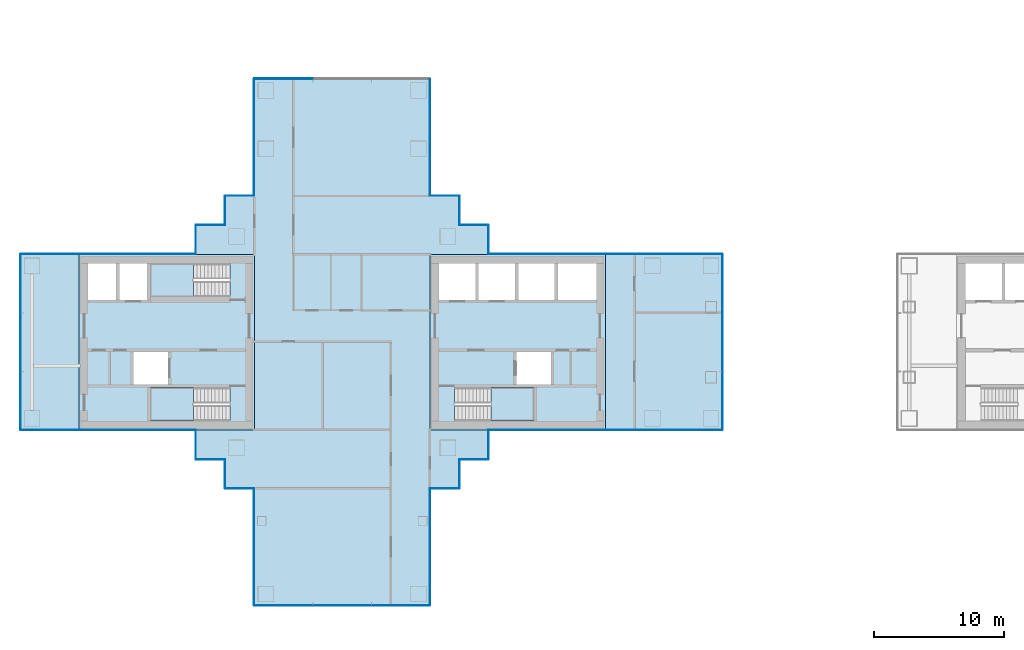
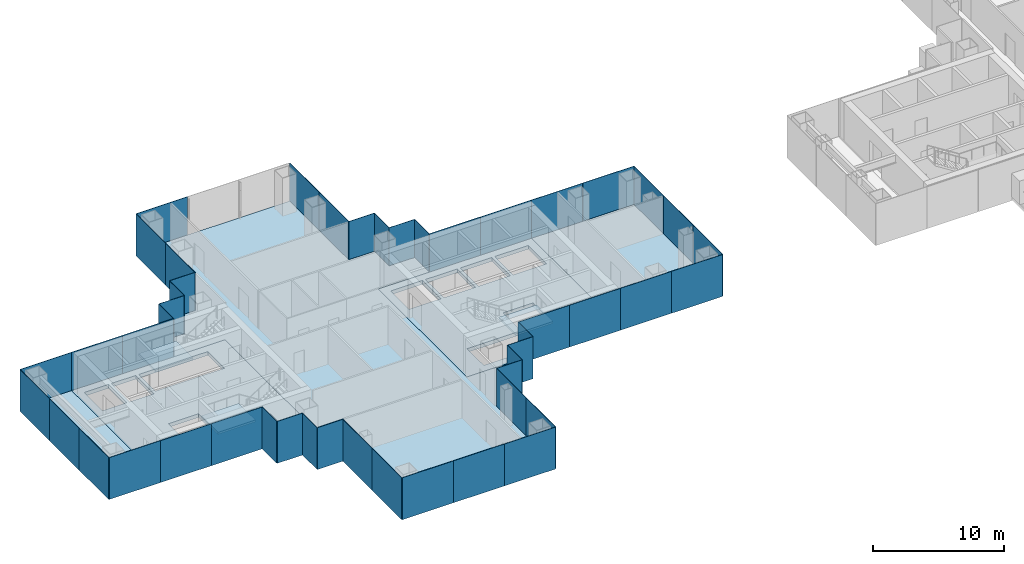
# One storey, part 9 of 20: 48 plates, 8 slabs, 23 elements without a shape of their own.
"""IFC4 building model written with IfcOpenShell, lengths in metres."""

from ifc_helpers import new_model, si_unit, direction, frame, origin, origin_2d, place, context, subcontext, project, spatial, polyline, rectangle, outline, extrude, material, layer, layer_set, type_object, element, aggregate, save


model = new_model("IFC4")

# Units and contexts
model_context = context("Model", 3, precision=1e-05, world=origin(), true_north=direction((0.0, 1.0)))
body_context = subcontext(model_context, "Body", "Model", "MODEL_VIEW")
ifc_project = project(units=[si_unit("LENGTHUNIT", "METRE"), si_unit("AREAUNIT", "SQUARE_METRE"), si_unit("VOLUMEUNIT", "CUBIC_METRE"), si_unit("PLANEANGLEUNIT", "RADIAN"), si_unit("MASSUNIT", "GRAM", prefix="KILO")], contexts=[model_context])

# Site, building, storey
site_placement = place(None, origin())
site = spatial("IfcSite", under=ifc_project, at=site_placement, CompositionType="ELEMENT")
building_placement = place(site_placement, origin())
building = spatial("IfcBuilding", under=site, at=building_placement, Name="Shamsa Quay Exchange Towers", CompositionType="ELEMENT")
storey_placement = place(building_placement, frame((0.0, 0.0, 109.199951171875)))
storey = spatial("IfcBuildingStorey", under=building, at=storey_placement, Name="L25", CompositionType="ELEMENT", Elevation=109.199951171875)

# Slabs
ifc_material_1 = material(Name="Concrete C50/60", Category="concrete")
ifc_layer_1 = layer(ifc_material_1, 0.35009765625)
ifc_layer_set_1 = layer_set([ifc_layer_1], Name="CORE FLOOR 350 C50/60")
slab_type_1 = type_object("IfcSlabType", Name="CORE FLOOR 350 C50/60", PredefinedType="FLOOR", material=ifc_layer_set_1)
slab_1_placement = place(storey_placement, frame((0.0, 0.0, -0.349853515625)))
element("IfcSlab", 1, at=slab_1_placement, inside=storey, type_object=slab_type_1, Name="Core floor T1A", PredefinedType="FLOOR", context=body_context, shape_type="SweptSolid", body=[
    extrude(outline(polyline([(-27.0, -6.75), (-13.5, -6.75), (-13.5, 6.75), (-27.0, 6.75), (-27.0, -6.75)]), holes=[polyline([(-25.099365234375, -6.050048828125), (-25.099365234375, -3.5), (-19.0, -3.5), (-19.0, -6.050048828125), (-25.099365234375, -6.050048828125)]), polyline([(-26.300048828125, 3.25), (-26.300048828125, 6.050048828125), (-23.5, 6.050048828125), (-23.5, 3.25), (-26.300048828125, 3.25)]), polyline([(-23.25, 3.25), (-23.25, 6.050048828125), (-20.449951171875, 6.050048828125), (-20.449951171875, 3.25), (-23.25, 3.25)]), polyline([(-20.199951171875, 3.25), (-20.199951171875, 6.050048828125), (-17.39990234375, 6.050048828125), (-17.39990234375, 3.25), (-20.199951171875, 3.25)]), polyline([(-17.14990234375, 3.25), (-17.14990234375, 6.050048828125), (-14.199951171875, 6.050048828125), (-14.199951171875, 3.25), (-17.14990234375, 3.25)]), polyline([(-20.35009765625, -3.25), (-20.35009765625, -0.75), (-17.699951171875, -0.75), (-17.699951171875, -3.25), (-20.35009765625, -3.25)])]), origin(), (0.0, 0.0, 1.0), 0.349853515625),
])
slab_2_placement = place(storey_placement, frame((0.0, 0.0, -0.349853515625)))
element("IfcSlab", 2, at=slab_2_placement, inside=storey, type_object=slab_type_1, Name="Core floor T1B", PredefinedType="FLOOR", context=body_context, shape_type="SweptSolid", body=[
    extrude(outline(polyline([(-40.5, -6.75), (-40.5, 6.75), (-54.0, 6.75), (-54.0, -6.75), (-40.5, -6.75)]), holes=[polyline([(-42.400634765625, -3.5), (-42.400634765625, -6.050048828125), (-48.5, -6.050048828125), (-48.5, -3.5), (-42.400634765625, -3.5)]), polyline([(-42.400634765625, 6.050048828125), (-42.400634765625, 3.5), (-48.5, 3.5), (-48.5, 6.050048828125), (-42.400634765625, 6.050048828125)]), polyline([(-48.75, 3.25), (-50.89990234375, 3.25), (-50.89990234375, 6.050048828125), (-48.75, 6.050048828125), (-48.75, 3.25)]), polyline([(-51.14990234375, 3.25), (-53.300048828125, 3.25), (-53.300048828125, 6.050048828125), (-51.14990234375, 6.050048828125), (-51.14990234375, 3.25)]), polyline([(-47.14990234375, -3.25), (-49.800048828125, -3.25), (-49.800048828125, -0.75), (-47.14990234375, -0.75), (-47.14990234375, -3.25)])]), origin(), (0.0, 0.0, 1.0), 0.349853515625),
])

# Stair, slab
ifc_material_2 = material(Name="Concrete C40/50", Category="concrete")
stair_type = type_object("IfcStairType", Name="EXIT STAIR 22 RISERS 177 MM", PredefinedType="HALF_TURN_STAIR", material=ifc_material_2)
stair_1_placement = place(storey_placement, origin())
stair_1 = element("IfcStair", 3, at=stair_1_placement, inside=storey, type_object=stair_type, Name="L25 Exit stair ST1", PredefinedType="HALF_TURN_STAIR")
ifc_layer_2 = layer(ifc_material_2, 0.199951171875)
ifc_layer_set_2 = layer_set([ifc_layer_2], Name="CORE STAIR LANDING")
slab_type_2 = type_object("IfcSlabType", Name="CORE STAIR LANDING", PredefinedType="LANDING", material=ifc_layer_set_2)
slab_3_placement = place(storey_placement, frame((0.0, 0.0, 1.75)))
slab_3 = element("IfcSlab", 4, at=slab_3_placement, type_object=slab_type_2, Name="ST1 landing 1", PredefinedType="LANDING", context=body_context, shape_type="SweptSolid", body=[
    extrude(outline(polyline([(-22.300048828125, -6.050048828125), (-19.0, -6.050048828125), (-19.0, -3.5), (-22.300048828125, -3.5), (-22.300048828125, -6.050048828125)])), origin(), (0.0, 0.0, 1.0), 0.199951171875),
])
aggregate(stair_1, [slab_3])

stair_2_placement = place(storey_placement, origin())
stair_2 = element("IfcStair", 5, at=stair_2_placement, inside=storey, type_object=stair_type, Name="L25 Exit stair ST2", PredefinedType="HALF_TURN_STAIR")
slab_4_placement = place(storey_placement, frame((0.0, 0.0, 1.75)))
slab_4 = element("IfcSlab", 6, at=slab_4_placement, type_object=slab_type_2, Name="ST2 landing 1", PredefinedType="LANDING", context=body_context, shape_type="SweptSolid", body=[
    extrude(outline(polyline([(-45.199951171875, -3.5), (-48.5, -3.5), (-48.5, -6.050048828125), (-45.199951171875, -6.050048828125), (-45.199951171875, -3.5)])), origin(), (0.0, 0.0, 1.0), 0.199951171875),
])
aggregate(stair_2, [slab_4])

stair_3_placement = place(storey_placement, origin())
stair_3 = element("IfcStair", 7, at=stair_3_placement, inside=storey, type_object=stair_type, Name="L25 Exit stair ST3", PredefinedType="HALF_TURN_STAIR")
slab_5_placement = place(storey_placement, frame((0.0, 0.0, 1.75)))
slab_5 = element("IfcSlab", 8, at=slab_5_placement, type_object=slab_type_2, Name="ST3 landing 1", PredefinedType="LANDING", context=body_context, shape_type="SweptSolid", body=[
    extrude(outline(polyline([(-45.199951171875, 6.050048828125), (-48.5, 6.050048828125), (-48.5, 3.5), (-45.199951171875, 3.5), (-45.199951171875, 6.050048828125)])), origin(), (0.0, 0.0, 1.0), 0.199951171875),
])
aggregate(stair_3, [slab_5])

# Curtain wall, plates
ifc_material_3 = material(Name="Aluminium EN AW-6063 T6, black anodised", Category="aluminium")
ifc_layer_3 = layer(ifc_material_3, 0.280029296875)
ifc_layer_set_3 = layer_set([ifc_layer_3], Name="CW-1 UNITISED VISION GLASS")
curtain_wall_type_1 = type_object("IfcCurtainWallType", Name="CW-1 UNITISED VISION GLASS", PredefinedType="NOTDEFINED", material=ifc_layer_set_3)
curtain_wall_1_placement = place(storey_placement, origin())
curtain_wall_1 = element("IfcCurtainWall", 9, at=curtain_wall_1_placement, inside=storey, type_object=curtain_wall_type_1, Name="CW1 T1-FLK-V-W L25", PredefinedType="NOTDEFINED")
ifc_material_4 = material(Name="Glass, laminated, dark tinted", Category="glass")
ifc_layer_4 = layer(ifc_material_4, 0.0400390625)
ifc_layer_set_4 = layer_set([ifc_layer_4], Name="CW-1 VISION GLASS 40")
plate_type_1 = type_object("IfcPlateType", Name="CW-1 VISION GLASS 40", PredefinedType="CURTAIN_PANEL", material=ifc_layer_set_4)
plate_1_placement = place(storey_placement, frame((-40.52001953125, -13.52587890625, -0.349853515625), z_axis=(0.0, 0.0, 1.0), x_axis=(0.0, -1.0, 0.0)))
plate_1 = element("IfcPlate", 10, at=plate_1_placement, type_object=plate_type_1, Name="CW1 glass panel", PredefinedType="CURTAIN_PANEL", context=body_context, shape_type="SweptSolid", body=[
    extrude(rectangle(XDim=4.47607421875, YDim=0.0400390625, at=origin_2d()), origin(), (0.0, 0.0, 1.0), 3.89990234375),
])
plate_2_placement = place(storey_placement, frame((-40.52001953125, -18.011962890625, -0.349853515625), z_axis=(0.0, 0.0, 1.0), x_axis=(0.0, -1.0, 0.0)))
plate_2 = element("IfcPlate", 11, at=plate_2_placement, type_object=plate_type_1, Name="CW1 glass panel", PredefinedType="CURTAIN_PANEL", context=body_context, shape_type="SweptSolid", body=[
    extrude(rectangle(XDim=4.47607421875, YDim=0.0400390625, at=origin_2d()), origin(), (0.0, 0.0, 1.0), 3.89990234375),
])
aggregate(curtain_wall_1, [plate_1, plate_2])

curtain_wall_2_placement = place(storey_placement, origin())
curtain_wall_2 = element("IfcCurtainWall", 12, at=curtain_wall_2_placement, inside=storey, type_object=curtain_wall_type_1, Name="CW1 T1-END-V- L25", PredefinedType="NOTDEFINED")
plate_3_placement = place(storey_placement, frame((-38.25244140625, -20.27001953125, -0.349853515625)))
plate_3 = element("IfcPlate", 13, at=plate_3_placement, type_object=plate_type_1, Name="CW1 glass panel", PredefinedType="CURTAIN_PANEL", context=body_context, shape_type="SweptSolid", body=[
    extrude(rectangle(XDim=4.4951171875, YDim=0.0400390625, at=origin_2d()), origin(), (0.0, 0.0, 1.0), 3.89990234375),
])
plate_4_placement = place(storey_placement, frame((-33.75, -20.27001953125, -0.349853515625)))
plate_4 = element("IfcPlate", 14, at=plate_4_placement, type_object=plate_type_1, Name="CW1 glass panel", PredefinedType="CURTAIN_PANEL", context=body_context, shape_type="SweptSolid", body=[
    extrude(rectangle(XDim=4.489990234375, YDim=0.0400390625, at=origin_2d()), origin(), (0.0, 0.0, 1.0), 3.89990234375),
])
plate_5_placement = place(storey_placement, frame((-29.24755859375, -20.27001953125, -0.349853515625)))
plate_5 = element("IfcPlate", 15, at=plate_5_placement, type_object=plate_type_1, Name="CW1 glass panel", PredefinedType="CURTAIN_PANEL", context=body_context, shape_type="SweptSolid", body=[
    extrude(rectangle(XDim=4.4951171875, YDim=0.0400390625, at=origin_2d()), origin(), (0.0, 0.0, 1.0), 3.89990234375),
])
aggregate(curtain_wall_2, [plate_3, plate_4, plate_5])

curtain_wall_3_placement = place(storey_placement, origin())
curtain_wall_3 = element("IfcCurtainWall", 16, at=curtain_wall_3_placement, inside=storey, type_object=curtain_wall_type_1, Name="CW1 T1-FLK-V-E L25", PredefinedType="NOTDEFINED")
plate_6_placement = place(storey_placement, frame((-26.97998046875, -18.00244140625, -0.349853515625), z_axis=(0.0, 0.0, 1.0), x_axis=(0.0, 1.0, 0.0)))
plate_6 = element("IfcPlate", 17, at=plate_6_placement, type_object=plate_type_1, Name="CW1 glass panel", PredefinedType="CURTAIN_PANEL", context=body_context, shape_type="SweptSolid", body=[
    extrude(rectangle(XDim=4.4951171875, YDim=0.0400390625, at=origin_2d()), origin(), (0.0, 0.0, 1.0), 3.89990234375),
])
plate_7_placement = place(storey_placement, frame((-26.97998046875, -13.49755859375, -0.349853515625), z_axis=(0.0, 0.0, 1.0), x_axis=(0.0, 1.0, 0.0)))
plate_7 = element("IfcPlate", 18, at=plate_7_placement, type_object=plate_type_1, Name="CW1 glass panel", PredefinedType="CURTAIN_PANEL", context=body_context, shape_type="SweptSolid", body=[
    extrude(rectangle(XDim=4.4951171875, YDim=0.0400390625, at=origin_2d()), origin(), (0.0, 0.0, 1.0), 3.89990234375),
])
aggregate(curtain_wall_3, [plate_6, plate_7])

curtain_wall_4_placement = place(storey_placement, origin())
curtain_wall_4 = element("IfcCurtainWall", 19, at=curtain_wall_4_placement, inside=storey, type_object=curtain_wall_type_1, Name="CW1 T1-FLK-U+S L25", PredefinedType="NOTDEFINED")
plate_8_placement = place(storey_placement, frame((-11.25244140625, -6.77001953125, -0.349853515625)))
plate_8 = element("IfcPlate", 20, at=plate_8_placement, type_object=plate_type_1, Name="CW1 glass panel", PredefinedType="CURTAIN_PANEL", context=body_context, shape_type="SweptSolid", body=[
    extrude(rectangle(XDim=4.4951171875, YDim=0.0400390625, at=origin_2d()), origin(), (0.0, 0.0, 1.0), 3.89990234375),
])
plate_9_placement = place(storey_placement, frame((-6.74755859375, -6.77001953125, -0.349853515625)))
plate_9 = element("IfcPlate", 21, at=plate_9_placement, type_object=plate_type_1, Name="CW1 glass panel", PredefinedType="CURTAIN_PANEL", context=body_context, shape_type="SweptSolid", body=[
    extrude(rectangle(XDim=4.4951171875, YDim=0.0400390625, at=origin_2d()), origin(), (0.0, 0.0, 1.0), 3.89990234375),
])
aggregate(curtain_wall_4, [plate_8, plate_9])

curtain_wall_5_placement = place(storey_placement, origin())
curtain_wall_5 = element("IfcCurtainWall", 22, at=curtain_wall_5_placement, inside=storey, type_object=curtain_wall_type_1, Name="CW1 T1-END-U+ L25", PredefinedType="NOTDEFINED")
plate_10_placement = place(storey_placement, frame((-4.47998046875, -4.50244140625, -0.349853515625), z_axis=(0.0, 0.0, 1.0), x_axis=(0.0, 1.0, 0.0)))
plate_10 = element("IfcPlate", 23, at=plate_10_placement, type_object=plate_type_1, Name="CW1 glass panel", PredefinedType="CURTAIN_PANEL", context=body_context, shape_type="SweptSolid", body=[
    extrude(rectangle(XDim=4.4951171875, YDim=0.0400390625, at=origin_2d()), origin(), (0.0, 0.0, 1.0), 3.89990234375),
])
plate_11_placement = place(storey_placement, frame((-4.47998046875, 0.0, -0.349853515625), z_axis=(0.0, 0.0, 1.0), x_axis=(0.0, 1.0, 0.0)))
plate_11 = element("IfcPlate", 24, at=plate_11_placement, type_object=plate_type_1, Name="CW1 glass panel", PredefinedType="CURTAIN_PANEL", context=body_context, shape_type="SweptSolid", body=[
    extrude(rectangle(XDim=4.489990234375, YDim=0.0400390625, at=origin_2d()), origin(), (0.0, 0.0, 1.0), 3.89990234375),
])
plate_12_placement = place(storey_placement, frame((-4.47998046875, 4.50244140625, -0.349853515625), z_axis=(0.0, 0.0, 1.0), x_axis=(0.0, 1.0, 0.0)))
plate_12 = element("IfcPlate", 25, at=plate_12_placement, type_object=plate_type_1, Name="CW1 glass panel", PredefinedType="CURTAIN_PANEL", context=body_context, shape_type="SweptSolid", body=[
    extrude(rectangle(XDim=4.4951171875, YDim=0.0400390625, at=origin_2d()), origin(), (0.0, 0.0, 1.0), 3.89990234375),
])
aggregate(curtain_wall_5, [plate_10, plate_11, plate_12])

curtain_wall_6_placement = place(storey_placement, origin())
curtain_wall_6 = element("IfcCurtainWall", 26, at=curtain_wall_6_placement, inside=storey, type_object=curtain_wall_type_1, Name="CW1 T1-FLK-U+N L25", PredefinedType="NOTDEFINED")
plate_13_placement = place(storey_placement, frame((-6.74755859375, 6.77001953125, -0.349853515625), z_axis=(0.0, 0.0, 1.0), x_axis=(-1.0, 0.0, 0.0)))
plate_13 = element("IfcPlate", 27, at=plate_13_placement, type_object=plate_type_1, Name="CW1 glass panel", PredefinedType="CURTAIN_PANEL", context=body_context, shape_type="SweptSolid", body=[
    extrude(rectangle(XDim=4.4951171875, YDim=0.0400390625, at=origin_2d()), origin(), (0.0, 0.0, 1.0), 3.89990234375),
])
plate_14_placement = place(storey_placement, frame((-11.25244140625, 6.77001953125, -0.349853515625), z_axis=(0.0, 0.0, 1.0), x_axis=(-1.0, 0.0, 0.0)))
plate_14 = element("IfcPlate", 28, at=plate_14_placement, type_object=plate_type_1, Name="CW1 glass panel", PredefinedType="CURTAIN_PANEL", context=body_context, shape_type="SweptSolid", body=[
    extrude(rectangle(XDim=4.4951171875, YDim=0.0400390625, at=origin_2d()), origin(), (0.0, 0.0, 1.0), 3.89990234375),
])
aggregate(curtain_wall_6, [plate_13, plate_14])

curtain_wall_7_placement = place(storey_placement, origin())
curtain_wall_7 = element("IfcCurtainWall", 29, at=curtain_wall_7_placement, inside=storey, type_object=curtain_wall_type_1, Name="CW1 T1-FLK-V+E L25", PredefinedType="NOTDEFINED")
plate_15_placement = place(storey_placement, frame((-26.97998046875, 13.52587890625, -0.349853515625), z_axis=(0.0, 0.0, 1.0), x_axis=(0.0, 1.0, 0.0)))
plate_15 = element("IfcPlate", 30, at=plate_15_placement, type_object=plate_type_1, Name="CW1 glass panel", PredefinedType="CURTAIN_PANEL", context=body_context, shape_type="SweptSolid", body=[
    extrude(rectangle(XDim=4.47607421875, YDim=0.0400390625, at=origin_2d()), origin(), (0.0, 0.0, 1.0), 3.89990234375),
])
plate_16_placement = place(storey_placement, frame((-26.97998046875, 18.011962890625, -0.349853515625), z_axis=(0.0, 0.0, 1.0), x_axis=(0.0, 1.0, 0.0)))
plate_16 = element("IfcPlate", 31, at=plate_16_placement, type_object=plate_type_1, Name="CW1 glass panel", PredefinedType="CURTAIN_PANEL", context=body_context, shape_type="SweptSolid", body=[
    extrude(rectangle(XDim=4.47607421875, YDim=0.0400390625, at=origin_2d()), origin(), (0.0, 0.0, 1.0), 3.89990234375),
])
aggregate(curtain_wall_7, [plate_15, plate_16])

# Curtain wall, plate
curtain_wall_8_placement = place(storey_placement, origin())
curtain_wall_8 = element("IfcCurtainWall", 32, at=curtain_wall_8_placement, inside=storey, type_object=curtain_wall_type_1, Name="CW1 T1-END-V+ L25", PredefinedType="NOTDEFINED")
plate_17_placement = place(storey_placement, frame((-38.25244140625, 20.27001953125, -0.349853515625), z_axis=(0.0, 0.0, 1.0), x_axis=(-1.0, 0.0, 0.0)))
plate_17 = element("IfcPlate", 33, at=plate_17_placement, type_object=plate_type_1, Name="CW1 glass panel", PredefinedType="CURTAIN_PANEL", context=body_context, shape_type="SweptSolid", body=[
    extrude(rectangle(XDim=4.4951171875, YDim=0.0400390625, at=origin_2d()), origin(), (0.0, 0.0, 1.0), 3.89990234375),
])
aggregate(curtain_wall_8, [plate_17])

# Curtain wall, plates
curtain_wall_9_placement = place(storey_placement, origin())
curtain_wall_9 = element("IfcCurtainWall", 34, at=curtain_wall_9_placement, inside=storey, type_object=curtain_wall_type_1, Name="CW1 T1-FLK-V+W L25", PredefinedType="NOTDEFINED")
plate_18_placement = place(storey_placement, frame((-40.52001953125, 18.00244140625, -0.349853515625), z_axis=(0.0, 0.0, 1.0), x_axis=(0.0, -1.0, 0.0)))
plate_18 = element("IfcPlate", 35, at=plate_18_placement, type_object=plate_type_1, Name="CW1 glass panel", PredefinedType="CURTAIN_PANEL", context=body_context, shape_type="SweptSolid", body=[
    extrude(rectangle(XDim=4.4951171875, YDim=0.0400390625, at=origin_2d()), origin(), (0.0, 0.0, 1.0), 3.89990234375),
])
plate_19_placement = place(storey_placement, frame((-40.52001953125, 13.49755859375, -0.349853515625), z_axis=(0.0, 0.0, 1.0), x_axis=(0.0, -1.0, 0.0)))
plate_19 = element("IfcPlate", 36, at=plate_19_placement, type_object=plate_type_1, Name="CW1 glass panel", PredefinedType="CURTAIN_PANEL", context=body_context, shape_type="SweptSolid", body=[
    extrude(rectangle(XDim=4.4951171875, YDim=0.0400390625, at=origin_2d()), origin(), (0.0, 0.0, 1.0), 3.89990234375),
])
aggregate(curtain_wall_9, [plate_18, plate_19])

# Curtain wall, plate
curtain_wall_10_placement = place(storey_placement, origin())
curtain_wall_10 = element("IfcCurtainWall", 37, at=curtain_wall_10_placement, inside=storey, type_object=curtain_wall_type_1, Name="CW1 T1-FLK-U-N L25", PredefinedType="NOTDEFINED")
plate_20_placement = place(storey_placement, frame((-56.25, 6.77001953125, -0.349853515625), z_axis=(0.0, 0.0, 1.0), x_axis=(-1.0, 0.0, 0.0)))
plate_20 = element("IfcPlate", 38, at=plate_20_placement, type_object=plate_type_1, Name="CW1 glass panel", PredefinedType="CURTAIN_PANEL", context=body_context, shape_type="SweptSolid", body=[
    extrude(rectangle(XDim=4.5, YDim=0.0400390625, at=origin_2d()), origin(), (0.0, 0.0, 1.0), 3.89990234375),
])
aggregate(curtain_wall_10, [plate_20])

# Curtain wall, plates
curtain_wall_11_placement = place(storey_placement, origin())
curtain_wall_11 = element("IfcCurtainWall", 39, at=curtain_wall_11_placement, inside=storey, type_object=curtain_wall_type_1, Name="CW1 T1-END-U- L25", PredefinedType="NOTDEFINED")
plate_21_placement = place(storey_placement, frame((-58.52001953125, 4.50244140625, -0.349853515625), z_axis=(0.0, 0.0, 1.0), x_axis=(0.0, -1.0, 0.0)))
plate_21 = element("IfcPlate", 40, at=plate_21_placement, type_object=plate_type_1, Name="CW1 glass panel", PredefinedType="CURTAIN_PANEL", context=body_context, shape_type="SweptSolid", body=[
    extrude(rectangle(XDim=4.4951171875, YDim=0.0400390625, at=origin_2d()), origin(), (0.0, 0.0, 1.0), 3.89990234375),
])
plate_22_placement = place(storey_placement, frame((-58.52001953125, 0.0, -0.349853515625), z_axis=(0.0, 0.0, 1.0), x_axis=(0.0, -1.0, 0.0)))
plate_22 = element("IfcPlate", 41, at=plate_22_placement, type_object=plate_type_1, Name="CW1 glass panel", PredefinedType="CURTAIN_PANEL", context=body_context, shape_type="SweptSolid", body=[
    extrude(rectangle(XDim=4.489990234375, YDim=0.0400390625, at=origin_2d()), origin(), (0.0, 0.0, 1.0), 3.89990234375),
])
plate_23_placement = place(storey_placement, frame((-58.52001953125, -4.50244140625, -0.349853515625), z_axis=(0.0, 0.0, 1.0), x_axis=(0.0, -1.0, 0.0)))
plate_23 = element("IfcPlate", 42, at=plate_23_placement, type_object=plate_type_1, Name="CW1 glass panel", PredefinedType="CURTAIN_PANEL", context=body_context, shape_type="SweptSolid", body=[
    extrude(rectangle(XDim=4.4951171875, YDim=0.0400390625, at=origin_2d()), origin(), (0.0, 0.0, 1.0), 3.89990234375),
])
aggregate(curtain_wall_11, [plate_21, plate_22, plate_23])

# Curtain wall, plate
curtain_wall_12_placement = place(storey_placement, origin())
curtain_wall_12 = element("IfcCurtainWall", 43, at=curtain_wall_12_placement, inside=storey, type_object=curtain_wall_type_1, Name="CW1 T1-FLK-U-S L25", PredefinedType="NOTDEFINED")
plate_24_placement = place(storey_placement, frame((-56.25, -6.77001953125, -0.349853515625)))
plate_24 = element("IfcPlate", 44, at=plate_24_placement, type_object=plate_type_1, Name="CW1 glass panel", PredefinedType="CURTAIN_PANEL", context=body_context, shape_type="SweptSolid", body=[
    extrude(rectangle(XDim=4.5, YDim=0.0400390625, at=origin_2d()), origin(), (0.0, 0.0, 1.0), 3.89990234375),
])
aggregate(curtain_wall_12, [plate_24])

# Curtain wall, plates
ifc_layer_5 = layer(ifc_material_3, 0.303955078125)
ifc_layer_set_5 = layer_set([ifc_layer_5], Name="CW-2 UNITISED OPAQUE SPANDREL GLASS")
curtain_wall_type_2 = type_object("IfcCurtainWallType", Name="CW-2 UNITISED OPAQUE SPANDREL GLASS", PredefinedType="NOTDEFINED", material=ifc_layer_set_5)
curtain_wall_13_placement = place(storey_placement, origin())
curtain_wall_13 = element("IfcCurtainWall", 45, at=curtain_wall_13_placement, inside=storey, type_object=curtain_wall_type_2, Name="CW2 T1-FLK-U+S L25", PredefinedType="NOTDEFINED")
ifc_material_5 = material(Name="Glass, laminated, black enamelled opaque", Category="glass")
ifc_layer_6 = layer(ifc_material_5, 0.0439453125)
ifc_layer_set_6 = layer_set([ifc_layer_6], Name="CW-2 SPANDREL GLASS 44")
plate_type_2 = type_object("IfcPlateType", Name="CW-2 SPANDREL GLASS 44", PredefinedType="CURTAIN_PANEL", material=ifc_layer_set_6)
plate_25_placement = place(storey_placement, frame((-20.22412109375, -6.77197265625, -0.349853515625)))
plate_25 = element("IfcPlate", 46, at=plate_25_placement, type_object=plate_type_2, Name="CW2 glass panel", PredefinedType="CURTAIN_PANEL", context=body_context, shape_type="SweptSolid", body=[
    extrude(rectangle(XDim=4.47607421875, YDim=0.0439453125, at=origin_2d()), origin(), (0.0, 0.0, 1.0), 3.89990234375),
])
plate_26_placement = place(storey_placement, frame((-15.738037109375, -6.77197265625, -0.349853515625)))
plate_26 = element("IfcPlate", 47, at=plate_26_placement, type_object=plate_type_2, Name="CW2 glass panel", PredefinedType="CURTAIN_PANEL", context=body_context, shape_type="SweptSolid", body=[
    extrude(rectangle(XDim=4.47607421875, YDim=0.0439453125, at=origin_2d()), origin(), (0.0, 0.0, 1.0), 3.89990234375),
])
aggregate(curtain_wall_13, [plate_25, plate_26])

curtain_wall_14_placement = place(storey_placement, origin())
curtain_wall_14 = element("IfcCurtainWall", 48, at=curtain_wall_14_placement, inside=storey, type_object=curtain_wall_type_2, Name="CW2 T1-FLK-U+N L25", PredefinedType="NOTDEFINED")
plate_27_placement = place(storey_placement, frame((-15.74755859375, 6.77197265625, -0.349853515625), z_axis=(0.0, 0.0, 1.0), x_axis=(-1.0, 0.0, 0.0)))
plate_27 = element("IfcPlate", 49, at=plate_27_placement, type_object=plate_type_2, Name="CW2 glass panel", PredefinedType="CURTAIN_PANEL", context=body_context, shape_type="SweptSolid", body=[
    extrude(rectangle(XDim=4.4951171875, YDim=0.0439453125, at=origin_2d()), origin(), (0.0, 0.0, 1.0), 3.89990234375),
])
plate_28_placement = place(storey_placement, frame((-20.25244140625, 6.77197265625, -0.349853515625), z_axis=(0.0, 0.0, 1.0), x_axis=(-1.0, 0.0, 0.0)))
plate_28 = element("IfcPlate", 50, at=plate_28_placement, type_object=plate_type_2, Name="CW2 glass panel", PredefinedType="CURTAIN_PANEL", context=body_context, shape_type="SweptSolid", body=[
    extrude(rectangle(XDim=4.4951171875, YDim=0.0439453125, at=origin_2d()), origin(), (0.0, 0.0, 1.0), 3.89990234375),
])
aggregate(curtain_wall_14, [plate_27, plate_28])

curtain_wall_15_placement = place(storey_placement, origin())
curtain_wall_15 = element("IfcCurtainWall", 51, at=curtain_wall_15_placement, inside=storey, type_object=curtain_wall_type_2, Name="CW2 T1-FLK-U-N L25", PredefinedType="NOTDEFINED")
plate_29_placement = place(storey_placement, frame((-47.27587890625, 6.77197265625, -0.349853515625), z_axis=(0.0, 0.0, 1.0), x_axis=(-1.0, 0.0, 0.0)))
plate_29 = element("IfcPlate", 52, at=plate_29_placement, type_object=plate_type_2, Name="CW2 glass panel", PredefinedType="CURTAIN_PANEL", context=body_context, shape_type="SweptSolid", body=[
    extrude(rectangle(XDim=4.47607421875, YDim=0.0439453125, at=origin_2d()), origin(), (0.0, 0.0, 1.0), 3.89990234375),
])
plate_30_placement = place(storey_placement, frame((-51.761962890625, 6.77197265625, -0.349853515625), z_axis=(0.0, 0.0, 1.0), x_axis=(-1.0, 0.0, 0.0)))
plate_30 = element("IfcPlate", 53, at=plate_30_placement, type_object=plate_type_2, Name="CW2 glass panel", PredefinedType="CURTAIN_PANEL", context=body_context, shape_type="SweptSolid", body=[
    extrude(rectangle(XDim=4.47607421875, YDim=0.0439453125, at=origin_2d()), origin(), (0.0, 0.0, 1.0), 3.89990234375),
])
aggregate(curtain_wall_15, [plate_29, plate_30])

curtain_wall_16_placement = place(storey_placement, origin())
curtain_wall_16 = element("IfcCurtainWall", 54, at=curtain_wall_16_placement, inside=storey, type_object=curtain_wall_type_2, Name="CW2 T1-FLK-U-S L25", PredefinedType="NOTDEFINED")
plate_31_placement = place(storey_placement, frame((-51.75244140625, -6.77197265625, -0.349853515625)))
plate_31 = element("IfcPlate", 55, at=plate_31_placement, type_object=plate_type_2, Name="CW2 glass panel", PredefinedType="CURTAIN_PANEL", context=body_context, shape_type="SweptSolid", body=[
    extrude(rectangle(XDim=4.4951171875, YDim=0.0439453125, at=origin_2d()), origin(), (0.0, 0.0, 1.0), 3.89990234375),
])
plate_32_placement = place(storey_placement, frame((-47.24755859375, -6.77197265625, -0.349853515625)))
plate_32 = element("IfcPlate", 56, at=plate_32_placement, type_object=plate_type_2, Name="CW2 glass panel", PredefinedType="CURTAIN_PANEL", context=body_context, shape_type="SweptSolid", body=[
    extrude(rectangle(XDim=4.4951171875, YDim=0.0439453125, at=origin_2d()), origin(), (0.0, 0.0, 1.0), 3.89990234375),
])
aggregate(curtain_wall_16, [plate_31, plate_32])

ifc_layer_7 = layer(ifc_material_3, 0.256103515625)
ifc_layer_set_7 = layer_set([ifc_layer_7], Name="CW-4 POCKET SERRATED GLAZING")
curtain_wall_type_3 = type_object("IfcCurtainWallType", Name="CW-4 POCKET SERRATED GLAZING", PredefinedType="NOTDEFINED", material=ifc_layer_set_7)
curtain_wall_17_placement = place(storey_placement, origin())
curtain_wall_17 = element("IfcCurtainWall", 57, at=curtain_wall_17_placement, inside=storey, type_object=curtain_wall_type_3, Name="CW4 PKWS L25", PredefinedType="NOTDEFINED")
ifc_layer_8 = layer(ifc_material_4, 0.035888671875)
ifc_layer_set_8 = layer_set([ifc_layer_8], Name="CW-4 POCKET GLASS 36")
plate_type_3 = type_object("IfcPlateType", Name="CW-4 POCKET GLASS 36", PredefinedType="CURTAIN_PANEL", material=ifc_layer_set_8)
plate_33_placement = place(storey_placement, frame((-42.76806640625, -10.14404296875, -0.349853515625), z_axis=(0.0, 0.0, 1.0), x_axis=(0.0, -1.0, 0.0)))
plate_33 = element("IfcPlate", 58, at=plate_33_placement, type_object=plate_type_3, Name="CW4 glass panel", PredefinedType="CURTAIN_PANEL", context=body_context, shape_type="SweptSolid", body=[
    extrude(rectangle(XDim=2.2119140625, YDim=0.035888671875, at=origin_2d()), origin(), (0.0, 0.0, 1.0), 3.89990234375),
])
plate_34_placement = place(storey_placement, frame((-41.625, -11.26806640625, -0.349853515625)))
plate_34 = element("IfcPlate", 59, at=plate_34_placement, type_object=plate_type_3, Name="CW4 glass panel", PredefinedType="CURTAIN_PANEL", context=body_context, shape_type="SweptSolid", body=[
    extrude(rectangle(XDim=2.25, YDim=0.035888671875, at=origin_2d()), origin(), (0.0, 0.0, 1.0), 3.89990234375),
])
plate_35_placement = place(storey_placement, frame((-45.01806640625, -7.89794921875, -0.349853515625), z_axis=(0.0, 0.0, 1.0), x_axis=(0.0, -1.0, 0.0)))
plate_35 = element("IfcPlate", 60, at=plate_35_placement, type_object=plate_type_3, Name="CW4 glass panel", PredefinedType="CURTAIN_PANEL", context=body_context, shape_type="SweptSolid", body=[
    extrude(rectangle(XDim=2.2041015625, YDim=0.035888671875, at=origin_2d()), origin(), (0.0, 0.0, 1.0), 3.89990234375),
])
plate_36_placement = place(storey_placement, frame((-43.875, -9.01806640625, -0.349853515625)))
plate_36 = element("IfcPlate", 61, at=plate_36_placement, type_object=plate_type_3, Name="CW4 glass panel", PredefinedType="CURTAIN_PANEL", context=body_context, shape_type="SweptSolid", body=[
    extrude(rectangle(XDim=2.25, YDim=0.035888671875, at=origin_2d()), origin(), (0.0, 0.0, 1.0), 3.89990234375),
])
aggregate(curtain_wall_17, [plate_33, plate_34, plate_35, plate_36])

curtain_wall_18_placement = place(storey_placement, origin())
curtain_wall_18 = element("IfcCurtainWall", 62, at=curtain_wall_18_placement, inside=storey, type_object=curtain_wall_type_3, Name="CW4 PKES L25", PredefinedType="NOTDEFINED")
plate_37_placement = place(storey_placement, frame((-25.85400390625, -11.26806640625, -0.349853515625)))
plate_37 = element("IfcPlate", 63, at=plate_37_placement, type_object=plate_type_3, Name="CW4 glass panel", PredefinedType="CURTAIN_PANEL", context=body_context, shape_type="SweptSolid", body=[
    extrude(rectangle(XDim=2.2080078125, YDim=0.035888671875, at=origin_2d()), origin(), (0.0, 0.0, 1.0), 3.89990234375),
])
plate_38_placement = place(storey_placement, frame((-24.73193359375, -10.125, -0.349853515625), z_axis=(0.0, 0.0, 1.0), x_axis=(0.0, 1.0, 0.0)))
plate_38 = element("IfcPlate", 64, at=plate_38_placement, type_object=plate_type_3, Name="CW4 glass panel", PredefinedType="CURTAIN_PANEL", context=body_context, shape_type="SweptSolid", body=[
    extrude(rectangle(XDim=2.25, YDim=0.035888671875, at=origin_2d()), origin(), (0.0, 0.0, 1.0), 3.89990234375),
])
plate_39_placement = place(storey_placement, frame((-23.60595703125, -9.01806640625, -0.349853515625)))
plate_39 = element("IfcPlate", 65, at=plate_39_placement, type_object=plate_type_3, Name="CW4 glass panel", PredefinedType="CURTAIN_PANEL", context=body_context, shape_type="SweptSolid", body=[
    extrude(rectangle(XDim=2.2119140625, YDim=0.035888671875, at=origin_2d()), origin(), (0.0, 0.0, 1.0), 3.89990234375),
])
plate_40_placement = place(storey_placement, frame((-22.48193359375, -7.875, -0.349853515625), z_axis=(0.0, 0.0, 1.0), x_axis=(0.0, 1.0, 0.0)))
plate_40 = element("IfcPlate", 66, at=plate_40_placement, type_object=plate_type_3, Name="CW4 glass panel", PredefinedType="CURTAIN_PANEL", context=body_context, shape_type="SweptSolid", body=[
    extrude(rectangle(XDim=2.25, YDim=0.035888671875, at=origin_2d()), origin(), (0.0, 0.0, 1.0), 3.89990234375),
])
aggregate(curtain_wall_18, [plate_37, plate_38, plate_39, plate_40])

curtain_wall_19_placement = place(storey_placement, origin())
curtain_wall_19 = element("IfcCurtainWall", 67, at=curtain_wall_19_placement, inside=storey, type_object=curtain_wall_type_3, Name="CW4 PKEN L25", PredefinedType="NOTDEFINED")
plate_41_placement = place(storey_placement, frame((-22.48193359375, 7.89794921875, -0.349853515625), z_axis=(0.0, 0.0, 1.0), x_axis=(0.0, 1.0, 0.0)))
plate_41 = element("IfcPlate", 68, at=plate_41_placement, type_object=plate_type_3, Name="CW4 glass panel", PredefinedType="CURTAIN_PANEL", context=body_context, shape_type="SweptSolid", body=[
    extrude(rectangle(XDim=2.2041015625, YDim=0.035888671875, at=origin_2d()), origin(), (0.0, 0.0, 1.0), 3.89990234375),
])
plate_42_placement = place(storey_placement, frame((-23.625, 9.01806640625, -0.349853515625), z_axis=(0.0, 0.0, 1.0), x_axis=(-1.0, 0.0, 0.0)))
plate_42 = element("IfcPlate", 69, at=plate_42_placement, type_object=plate_type_3, Name="CW4 glass panel", PredefinedType="CURTAIN_PANEL", context=body_context, shape_type="SweptSolid", body=[
    extrude(rectangle(XDim=2.25, YDim=0.035888671875, at=origin_2d()), origin(), (0.0, 0.0, 1.0), 3.89990234375),
])
plate_43_placement = place(storey_placement, frame((-24.73193359375, 10.14404296875, -0.349853515625), z_axis=(0.0, 0.0, 1.0), x_axis=(0.0, 1.0, 0.0)))
plate_43 = element("IfcPlate", 70, at=plate_43_placement, type_object=plate_type_3, Name="CW4 glass panel", PredefinedType="CURTAIN_PANEL", context=body_context, shape_type="SweptSolid", body=[
    extrude(rectangle(XDim=2.2119140625, YDim=0.035888671875, at=origin_2d()), origin(), (0.0, 0.0, 1.0), 3.89990234375),
])
plate_44_placement = place(storey_placement, frame((-25.875, 11.26806640625, -0.349853515625), z_axis=(0.0, 0.0, 1.0), x_axis=(-1.0, 0.0, 0.0)))
plate_44 = element("IfcPlate", 71, at=plate_44_placement, type_object=plate_type_3, Name="CW4 glass panel", PredefinedType="CURTAIN_PANEL", context=body_context, shape_type="SweptSolid", body=[
    extrude(rectangle(XDim=2.25, YDim=0.035888671875, at=origin_2d()), origin(), (0.0, 0.0, 1.0), 3.89990234375),
])
aggregate(curtain_wall_19, [plate_41, plate_42, plate_43, plate_44])

curtain_wall_20_placement = place(storey_placement, origin())
curtain_wall_20 = element("IfcCurtainWall", 72, at=curtain_wall_20_placement, inside=storey, type_object=curtain_wall_type_3, Name="CW4 PKWN L25", PredefinedType="NOTDEFINED")
plate_45_placement = place(storey_placement, frame((-41.64599609375, 11.26806640625, -0.349853515625), z_axis=(0.0, 0.0, 1.0), x_axis=(-1.0, 0.0, 0.0)))
plate_45 = element("IfcPlate", 73, at=plate_45_placement, type_object=plate_type_3, Name="CW4 glass panel", PredefinedType="CURTAIN_PANEL", context=body_context, shape_type="SweptSolid", body=[
    extrude(rectangle(XDim=2.2080078125, YDim=0.035888671875, at=origin_2d()), origin(), (0.0, 0.0, 1.0), 3.89990234375),
])
plate_46_placement = place(storey_placement, frame((-42.76806640625, 10.125, -0.349853515625), z_axis=(0.0, 0.0, 1.0), x_axis=(0.0, -1.0, 0.0)))
plate_46 = element("IfcPlate", 74, at=plate_46_placement, type_object=plate_type_3, Name="CW4 glass panel", PredefinedType="CURTAIN_PANEL", context=body_context, shape_type="SweptSolid", body=[
    extrude(rectangle(XDim=2.25, YDim=0.035888671875, at=origin_2d()), origin(), (0.0, 0.0, 1.0), 3.89990234375),
])
plate_47_placement = place(storey_placement, frame((-43.89404296875, 9.01806640625, -0.349853515625), z_axis=(0.0, 0.0, 1.0), x_axis=(-1.0, 0.0, 0.0)))
plate_47 = element("IfcPlate", 75, at=plate_47_placement, type_object=plate_type_3, Name="CW4 glass panel", PredefinedType="CURTAIN_PANEL", context=body_context, shape_type="SweptSolid", body=[
    extrude(rectangle(XDim=2.2119140625, YDim=0.035888671875, at=origin_2d()), origin(), (0.0, 0.0, 1.0), 3.89990234375),
])
plate_48_placement = place(storey_placement, frame((-45.01806640625, 7.875, -0.349853515625), z_axis=(0.0, 0.0, 1.0), x_axis=(0.0, -1.0, 0.0)))
plate_48 = element("IfcPlate", 76, at=plate_48_placement, type_object=plate_type_3, Name="CW4 glass panel", PredefinedType="CURTAIN_PANEL", context=body_context, shape_type="SweptSolid", body=[
    extrude(rectangle(XDim=2.25, YDim=0.035888671875, at=origin_2d()), origin(), (0.0, 0.0, 1.0), 3.89990234375),
])
aggregate(curtain_wall_20, [plate_45, plate_46, plate_47, plate_48])

# Slabs
ifc_layer_9 = layer(ifc_material_2, 0.35009765625)
ifc_layer_set_9 = layer_set([ifc_layer_9], Name="Flat slab 350")
slab_type_3 = type_object("IfcSlabType", Name="Flat slab 350", PredefinedType="FLOOR", material=ifc_layer_set_9)
slab_6_placement = place(storey_placement, frame((0.0, 0.0, -0.349853515625)))
element("IfcSlab", 77, at=slab_6_placement, inside=storey, type_object=slab_type_3, Name="Flat slab T1 L25 1", PredefinedType="FLOOR", context=body_context, shape_type="SweptSolid", body=[
    extrude(outline(polyline([(-58.5, -6.75), (-54.0, -6.75), (-54.0, 6.75), (-58.5, 6.75), (-58.5, -6.75)])), origin(), (0.0, 0.0, 1.0), 0.349853515625),
])
slab_7_placement = place(storey_placement, frame((0.0, 0.0, -0.349853515625)))
element("IfcSlab", 78, at=slab_7_placement, inside=storey, type_object=slab_type_3, Name="Flat slab T1 L25 2", PredefinedType="FLOOR", context=body_context, shape_type="SweptSolid", body=[
    extrude(outline(polyline([(-22.5, -9.0), (-22.5, -6.75), (-27.0, -6.75), (-27.0, 6.75), (-22.5, 6.75), (-22.5, 9.0), (-24.75, 9.0), (-24.75, 11.25), (-27.0, 11.25), (-27.0, 20.25), (-40.5, 20.25), (-40.5, 11.25), (-42.75, 11.25), (-42.75, 9.0), (-45.0, 9.0), (-45.0, 6.75), (-40.5, 6.75), (-40.5, -6.75), (-45.0, -6.75), (-45.0, -9.0), (-42.75, -9.0), (-42.75, -11.25), (-40.5, -11.25), (-40.5, -20.25), (-27.0, -20.25), (-27.0, -11.25), (-24.75, -11.25), (-24.75, -9.0), (-22.5, -9.0)])), origin(), (0.0, 0.0, 1.0), 0.349853515625),
])
slab_8_placement = place(storey_placement, frame((0.0, 0.0, -0.349853515625)))
element("IfcSlab", 79, at=slab_8_placement, inside=storey, type_object=slab_type_3, Name="Flat slab T1 L25 3", PredefinedType="FLOOR", context=body_context, shape_type="SweptSolid", body=[
    extrude(outline(polyline([(-4.5, 6.75), (-13.5, 6.75), (-13.5, -6.75), (-4.5, -6.75), (-4.5, 6.75)])), origin(), (0.0, 0.0, 1.0), 0.349853515625),
])

save(model, "model.ifc")
